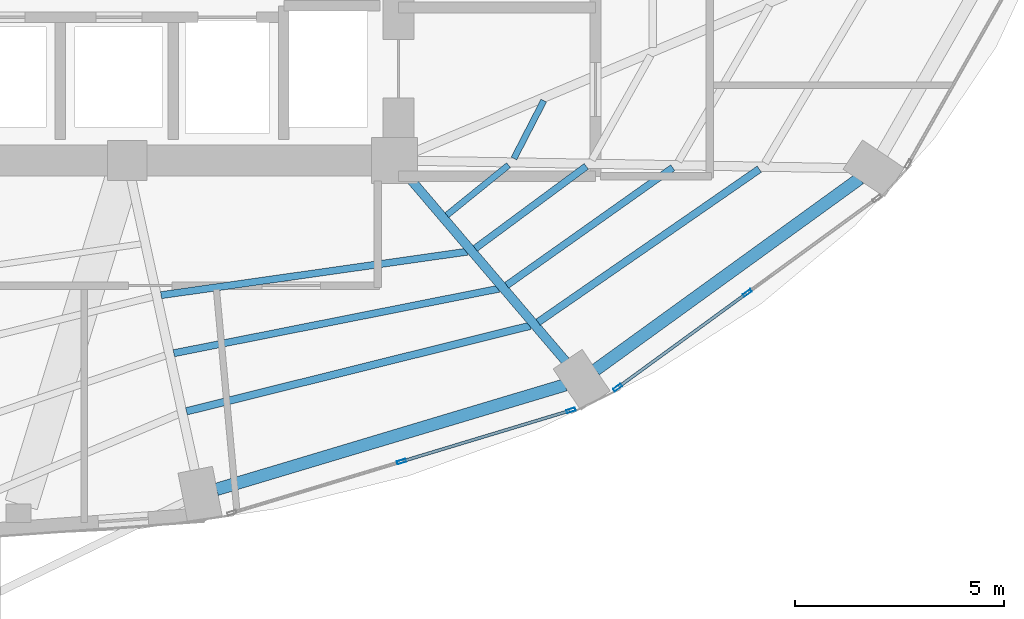
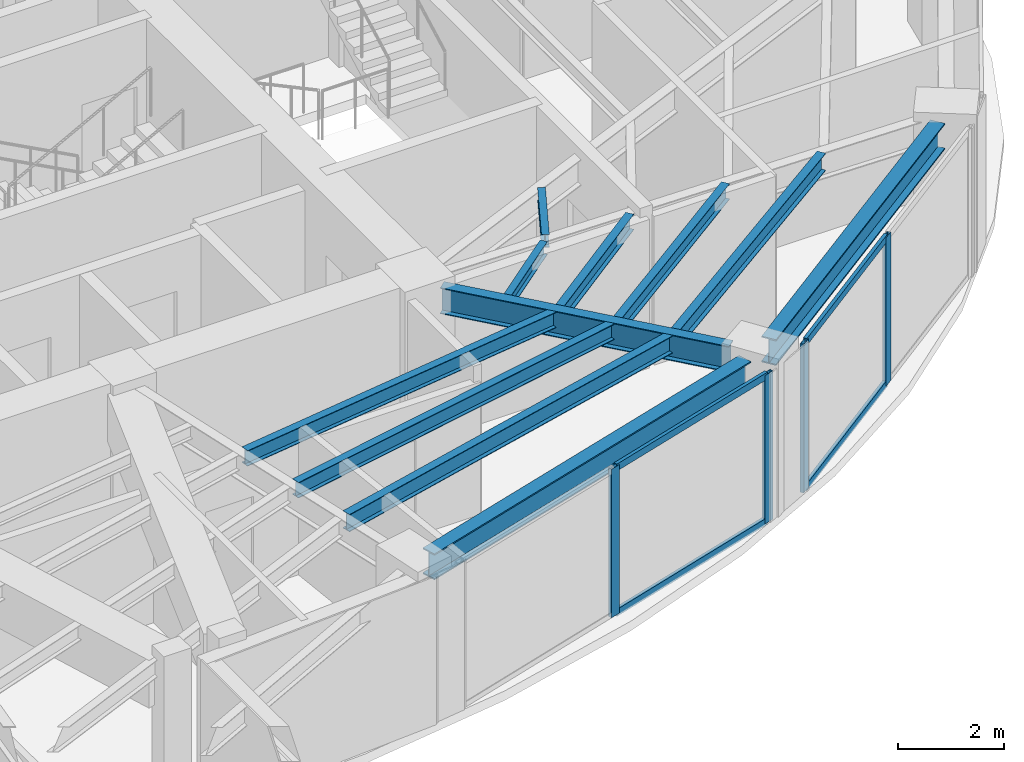
# One storey, part 11 of 24: 11 beams, 8 members, 2 elements without a shape of their own.
"""IFC4 building model written with IfcOpenShell, lengths in metres."""

import ifcopenshell
import ifcopenshell.guid

model = None  # the IFC model being written
_history = None  # IfcOwnerHistory: only IFC2X3 demands one
_inside = {}  # id of a spatial element -> (the spatial element, [elements in it])
_under = {}  # id of a project, library or spatial element -> (it, [spatial elements below it])
_declared = {}  # id of a project -> (the project, [libraries it declares])
_typed = {}  # id of a type object -> (the type object, [elements of that type])
_made_of = {}  # id of a material, layer set ... -> (it, [elements and type objects made of it])


def new_model(schema):
    """Start an empty IFC model of exactly this schema.

    Asked for "IFC4X3", IfcOpenShell would pick the latest addendum, in which some entities
    have other attributes; the version numbers below select the first issue.
    IFC2X3 requires an IfcOwnerHistory on every rooted entity: one is made here for all.
    """
    global model, _history
    if schema == "IFC4X3":
        model = ifcopenshell.file(schema_version=(4, 3, 0, 0))
    else:
        model = ifcopenshell.file(schema=schema)
    _inside.clear()
    _under.clear()
    _declared.clear()
    _typed.clear()
    _made_of.clear()
    _history = None
    if model.schema == "IFC2X3":
        org = make("IfcOrganization", Name="unknown")
        user = make(
            "IfcPersonAndOrganization",
            ThePerson=make("IfcPerson", FamilyName="unknown"),
            TheOrganization=org,
        )
        app = make(
            "IfcApplication",
            ApplicationDeveloper=org,
            Version="unknown",
            ApplicationFullName="unknown",
            ApplicationIdentifier="unknown",
        )
        _history = make(
            "IfcOwnerHistory",
            OwningUser=user,
            OwningApplication=app,
            ChangeAction="ADDED",
            CreationDate=0,
        )
    return model


def make(cls, **values):
    """One entity of the class cls with the attributes given. An attribute that is None is left unset."""
    return model.create_entity(
        cls, **{name: value for name, value in values.items() if value is not None}
    )


def rooted(cls, **values):
    """An entity with a GlobalId (a new one), such as an element, a storey or a relation."""
    return make(cls, GlobalId=ifcopenshell.guid.new(), OwnerHistory=_history, **values)


def si_unit(unit_type, name, prefix=None):
    """IfcSIUnit, for example si_unit("LENGTHUNIT", "METRE", prefix="MILLI")."""
    return make("IfcSIUnit", UnitType=unit_type, Prefix=prefix, Name=name)


def assignment(units):
    """IfcUnitAssignment: the units of a project."""
    return None if units is None else make("IfcUnitAssignment", Units=units)


def point(xyz):
    """IfcCartesianPoint."""
    return None if xyz is None else make("IfcCartesianPoint", Coordinates=xyz)


def direction(xyz):
    """IfcDirection."""
    return None if xyz is None else make("IfcDirection", DirectionRatios=xyz)


def frame(location, z_axis=None, x_axis=None):
    """IfcAxis2Placement3D, a coordinate frame: its origin and axes. An axis left out is left unset."""
    return make(
        "IfcAxis2Placement3D",
        Location=point(location),
        Axis=direction(z_axis),
        RefDirection=direction(x_axis),
    )


def frame_2d(location, x_axis=None):
    """IfcAxis2Placement2D, a coordinate frame in the plane: its origin and x axis."""
    return make(
        "IfcAxis2Placement2D", Location=point(location), RefDirection=direction(x_axis)
    )


def origin():
    """The frame at (0, 0, 0) with its axes left unset."""
    return frame((0.0, 0.0, 0.0))


def origin_2d():
    """The frame at (0, 0) in the plane with its x axis left unset."""
    return frame_2d((0.0, 0.0))


def place(relative_to, where):
    """IfcLocalPlacement: puts the frame where relative to a parent placement (None: the world)."""
    return make(
        "IfcLocalPlacement", PlacementRelTo=relative_to, RelativePlacement=where
    )


def context(
    kind, dimensions, precision=None, world=None, true_north=None, identifier=None
):
    """IfcGeometricRepresentationContext, for example the 3D "Model" context."""
    return make(
        "IfcGeometricRepresentationContext",
        ContextIdentifier=identifier,
        ContextType=kind,
        CoordinateSpaceDimension=dimensions,
        Precision=precision,
        WorldCoordinateSystem=world,
        TrueNorth=true_north,
    )


def subcontext(parent, identifier, kind, view, scale=None):
    """IfcGeometricRepresentationSubContext, for example "Body" below "Model"."""
    return make(
        "IfcGeometricRepresentationSubContext",
        ContextIdentifier=identifier,
        ContextType=kind,
        ParentContext=parent,
        TargetScale=scale,
        TargetView=view,
    )


def project(units=None, contexts=None):
    """IfcProject with its units and contexts."""
    return rooted(
        "IfcProject",
        Name="project",
        RepresentationContexts=contexts,
        UnitsInContext=assignment(units),
    )


def spatial(cls, under=None, at=None, **own):
    """A site, building, storey or space (cls), placed at a placement, below another one or the project."""
    s = rooted(cls, ObjectPlacement=at, **own)
    if under is not None:
        _under.setdefault(under.id(), (under, []))[1].append(s)
    return s


def profile(cls, at=None, kind="AREA", **sizes):
    """A parametric profile (cls). Its sizes go by their IFC names, for example OverallWidth=200.0."""
    return make(cls, ProfileType=kind, Position=at, **sizes)


def hollow_rectangle(**sizes):
    """IfcRectangleHollowProfileDef."""
    return profile("IfcRectangleHollowProfileDef", **sizes)


def i_section(**sizes):
    """IfcIShapeProfileDef."""
    return profile("IfcIShapeProfileDef", **sizes)


def extrude(swept, where, along, depth):
    """IfcExtrudedAreaSolid: the profile swept, set in the frame where, extruded along a direction by depth."""
    return make(
        "IfcExtrudedAreaSolid",
        SweptArea=swept,
        Position=where,
        ExtrudedDirection=direction(along),
        Depth=depth,
    )


def shape(context_of_items, identifier, shape_type, items):
    """IfcShapeRepresentation: the items that make up one representation, for example the "Body"."""
    return make(
        "IfcShapeRepresentation",
        ContextOfItems=context_of_items,
        RepresentationIdentifier=identifier,
        RepresentationType=shape_type,
        Items=items,
    )


def material(Name=None, Category=None):
    """IfcMaterial."""
    return make("IfcMaterial", Name=Name, Category=Category)


def layer(
    of_material, thickness, ventilated=None, Name=None, Category=None, Priority=None
):
    """IfcMaterialLayer: one layer of a wall or slab, of a material (None: an air gap)."""
    return make(
        "IfcMaterialLayer",
        Material=of_material,
        LayerThickness=thickness,
        IsVentilated=ventilated,
        Name=Name,
        Category=Category,
        Priority=Priority,
    )


def layer_set(layers, Name=None):
    """IfcMaterialLayerSet."""
    return make("IfcMaterialLayerSet", MaterialLayers=layers, LayerSetName=Name)


def material_profile(
    of_material, cross_section, Name=None, Category=None, Priority=None
):
    """IfcMaterialProfile: a cross section and its material."""
    return make(
        "IfcMaterialProfile",
        Name=Name,
        Material=of_material,
        Profile=cross_section,
        Priority=Priority,
        Category=Category,
    )


def profile_set(profiles, Name=None, composite=None):
    """IfcMaterialProfileSet."""
    return make(
        "IfcMaterialProfileSet",
        Name=Name,
        MaterialProfiles=profiles,
        CompositeProfile=composite,
    )


def made_of(thing, what):
    """Note that an element or type object is made of a material, layer set ...; save() writes the relation."""
    if what is not None:
        _made_of.setdefault(what.id(), (what, []))[1].append(thing)
    return thing


def type_object(cls, material=None, **own):
    """A type object (cls), such as IfcWallType, which elements share."""
    return made_of(rooted(cls, **own), material)


def element(
    cls,
    number,
    at=None,
    inside=None,
    cuts=None,
    type_object=None,
    material=None,
    context=None,
    identifier="Body",
    shape_type=None,
    held_by="IfcProductDefinitionShape",
    body=None,
    shapes=None,
    **own,
):
    """One element of the class cls, such as IfcWall. Its Tag is "e" and its number.

    at: its placement. inside: the storey or other place that contains it. cuts: it is an
    opening in that element (IfcRelVoidsElement). A single representation is given by context,
    identifier, shape_type and body (its items); several are given by shapes. held_by: the class
    of the entity that holds the representations. save() writes the other relations.
    """
    e = rooted(cls, Tag="e%d" % number, ObjectPlacement=at, **own)
    if body is not None:
        shapes = [shape(context, identifier, shape_type, body)]
    if shapes is not None:
        e.Representation = make(held_by, Representations=shapes)
    if inside is not None:
        _inside.setdefault(inside.id(), (inside, []))[1].append(e)
    if cuts is not None:
        rooted(
            "IfcRelVoidsElement", RelatingBuildingElement=cuts, RelatedOpeningElement=e
        )
    if type_object is not None:
        _typed.setdefault(type_object.id(), (type_object, []))[1].append(e)
    return made_of(e, material)


def aggregate(whole, parts):
    """IfcRelAggregates: a whole, such as a stair, and the parts it consists of."""
    return rooted("IfcRelAggregates", RelatingObject=whole, RelatedObjects=parts)


def save(model, path):
    """Write the relations noted so far, then the file.

    IfcRelAggregates (storeys below a building ...), IfcRelContainedInSpatialStructure (elements
    in a storey), IfcRelDefinesByType, IfcRelAssociatesMaterial and IfcRelDeclares: one each for
    every whole, place, type object, material and project.
    """
    for whole, parts in _under.values():
        aggregate(whole, parts)
    for where, things in _inside.values():
        rooted(
            "IfcRelContainedInSpatialStructure",
            RelatedElements=things,
            RelatingStructure=where,
        )
    for kind, things in _typed.values():
        rooted("IfcRelDefinesByType", RelatedObjects=things, RelatingType=kind)
    for what, things in _made_of.values():
        rooted("IfcRelAssociatesMaterial", RelatedObjects=things, RelatingMaterial=what)
    for by, libraries in _declared.values():
        rooted("IfcRelDeclares", RelatingContext=by, RelatedDefinitions=libraries)
    model.write(path)


model = new_model("IFC4")

# Units and contexts
model_context = context("Model", 3, precision=1e-05, world=origin(), true_north=direction((0.0, 1.0)))
body_context = subcontext(model_context, "Body", "Model", "MODEL_VIEW")
ifc_project = project(units=[si_unit("LENGTHUNIT", "METRE"), si_unit("AREAUNIT", "SQUARE_METRE"), si_unit("VOLUMEUNIT", "CUBIC_METRE"), si_unit("PLANEANGLEUNIT", "RADIAN"), si_unit("MASSUNIT", "GRAM", prefix="KILO")], contexts=[model_context])

# Site, building, storey
site_placement = place(None, origin())
site = spatial("IfcSite", under=ifc_project, at=site_placement, CompositionType="ELEMENT")
building_placement = place(site_placement, origin())
building = spatial("IfcBuilding", under=site, at=building_placement, Name="Lazwardi Medical Tower", CompositionType="ELEMENT")
storey_placement = place(building_placement, frame((0.0, 0.0, 118.22412109375)))
storey = spatial("IfcBuildingStorey", under=building, at=storey_placement, Name="L30", CompositionType="ELEMENT", Elevation=118.22412109375)

# Beams
ifc_material_1 = material(Name="Steel S355", Category="steel")
ifc_material_profile_1 = material_profile(ifc_material_1, i_section(OverallWidth=0.300048828125, OverallDepth=0.60009765625, WebThickness=0.015380859375, FlangeThickness=0.030029296875, at=origin_2d()), Name="HEB 600")
ifc_profile_set_1 = profile_set([ifc_material_profile_1], Name="Steel S355")
beam_type_1 = type_object("IfcBeamType", Name="BM-RB-Z2", PredefinedType="BEAM", material=ifc_profile_set_1)
beam_1_placement = place(storey_placement, frame((41.338134765625, 12.5205078125, 3.1279296875), z_axis=(0.957879438442, 0.287170648587, 0.0), x_axis=(-0.287170648587, 0.957879438442, 0.0)))
element("IfcBeam", 1, at=beam_1_placement, inside=storey, type_object=beam_type_1, Name="Ring beam RB-03 B01 L30", PredefinedType="BEAM", context=body_context, shape_type="SweptSolid", body=[
    extrude(i_section(OverallWidth=0.300048828125, OverallDepth=0.60009765625, WebThickness=0.015380859375, FlangeThickness=0.030029296875, at=origin_2d()), origin(), (0.0, 0.0, 1.0), 8.719970703125),
])
beam_2_placement = place(storey_placement, frame((50.415771484375, 15.3828125, 3.1279296875), z_axis=(0.810041907649, 0.586371987609, 0.0), x_axis=(-0.586371987609, 0.810041907649, 0.0)))
element("IfcBeam", 2, at=beam_2_placement, inside=storey, type_object=beam_type_1, Name="Ring beam RB-03 B02 L30", PredefinedType="BEAM", context=body_context, shape_type="SweptSolid", body=[
    extrude(i_section(OverallWidth=0.300048828125, OverallDepth=0.60009765625, WebThickness=0.015380859375, FlangeThickness=0.030029296875, at=origin_2d()), origin(), (0.0, 0.0, 1.0), 7.814208984375),
])
ifc_material_profile_2 = material_profile(ifc_material_1, i_section(OverallWidth=0.219970703125, OverallDepth=0.60009765625, WebThickness=0.011962890625, FlangeThickness=0.01904296875, at=origin_2d()), Name="IPE 600")
ifc_profile_set_2 = profile_set([ifc_material_profile_2], Name="Steel S355")
beam_type_2 = type_object("IfcBeamType", Name="BM-RG-W1", PredefinedType="BEAM", material=ifc_profile_set_2)
beam_3_placement = place(storey_placement, frame((49.707275390625, 15.583740234375, 3.1279296875), z_axis=(-0.648870567436, 0.760898801889, 0.0), x_axis=(-0.760898801889, -0.648870567436, 0.0)))
element("IfcBeam", 3, at=beam_3_placement, inside=storey, type_object=beam_type_2, Name="Radial girder RG-02 R02 L30", PredefinedType="BEAM", context=body_context, shape_type="SweptSolid", body=[
    extrude(i_section(OverallWidth=0.219970703125, OverallDepth=0.60009765625, WebThickness=0.011962890625, FlangeThickness=0.01904296875, at=origin_2d()), origin(), (0.0, 0.0, 1.0), 5.794677734375),
])
ifc_material_profile_3 = material_profile(ifc_material_1, i_section(OverallWidth=0.179931640625, OverallDepth=0.39990234375, WebThickness=0.008544921875, FlangeThickness=0.013427734375, at=origin_2d()), Name="IPE 400")
ifc_profile_set_3 = profile_set([ifc_material_profile_3], Name="Steel S355")
beam_type_3 = type_object("IfcBeamType", Name="BM-SJ-01", PredefinedType="JOIST", material=ifc_profile_set_3)
beam_4_placement = place(storey_placement, frame((40.618896484375, 14.390869140625, 3.227783203125), z_axis=(0.970400881943, 0.241499748081, 0.0), x_axis=(-0.241499748081, 0.970400881943, 0.0)))
element("IfcBeam", 4, at=beam_4_placement, inside=storey, type_object=beam_type_3, Name="Secondary joist SJ-01 R1 B01 L30", PredefinedType="JOIST", context=body_context, shape_type="SweptSolid", body=[
    extrude(i_section(OverallWidth=0.179931640625, OverallDepth=0.39990234375, WebThickness=0.008544921875, FlangeThickness=0.013427734375, at=origin_2d()), origin(), (0.0, 0.0, 1.0), 8.48583984375),
])
beam_5_placement = place(storey_placement, frame((49.04150390625, 16.525390625, 3.227783203125), z_axis=(0.822376339068, 0.568943896128, 0.0), x_axis=(-0.568943896128, 0.822376339068, 0.0)))
element("IfcBeam", 5, at=beam_5_placement, inside=storey, type_object=beam_type_3, Name="Secondary joist SJ-01 R1 B02 L30", PredefinedType="JOIST", context=body_context, shape_type="SweptSolid", body=[
    extrude(i_section(OverallWidth=0.179931640625, OverallDepth=0.39990234375, WebThickness=0.008544921875, FlangeThickness=0.013427734375, at=origin_2d()), origin(), (0.0, 0.0, 1.0), 6.44189453125),
])
ifc_material_profile_4 = material_profile(ifc_material_1, i_section(OverallWidth=0.169921875, OverallDepth=0.360107421875, WebThickness=0.008056640625, FlangeThickness=0.0126953125, at=origin_2d()), Name="IPE 360")
ifc_profile_set_4 = profile_set([ifc_material_profile_4], Name="Steel S355")
beam_type_4 = type_object("IfcBeamType", Name="BM-SJ-02", PredefinedType="JOIST", material=ifc_profile_set_4)
beam_6_placement = place(storey_placement, frame((40.315185546875, 15.7822265625, 3.247802734375), z_axis=(0.980878853282, 0.194619308352, 0.0), x_axis=(-0.194619308352, 0.980878853282, 0.0)))
element("IfcBeam", 6, at=beam_6_placement, inside=storey, type_object=beam_type_4, Name="Secondary joist SJ-02 R2 B01 L30", PredefinedType="JOIST", context=body_context, shape_type="SweptSolid", body=[
    extrude(i_section(OverallWidth=0.169921875, OverallDepth=0.360107421875, WebThickness=0.008056640625, FlangeThickness=0.0126953125, at=origin_2d()), origin(), (0.0, 0.0, 1.0), 7.93701171875),
])
beam_7_placement = place(storey_placement, frame((48.2890625, 17.408203125, 3.247802734375), z_axis=(0.816156371539, 0.577831097464, 0.0), x_axis=(-0.577831097464, 0.816156371539, 0.0)))
element("IfcBeam", 7, at=beam_7_placement, inside=storey, type_object=beam_type_4, Name="Secondary joist SJ-02 R2 B02 L30", PredefinedType="JOIST", context=body_context, shape_type="SweptSolid", body=[
    extrude(i_section(OverallWidth=0.169921875, OverallDepth=0.360107421875, WebThickness=0.008056640625, FlangeThickness=0.0126953125, at=origin_2d()), origin(), (0.0, 0.0, 1.0), 4.8740234375),
])
beam_8_placement = place(storey_placement, frame((40.011474609375, 17.1728515625, 3.247802734375), z_axis=(0.990067108571, 0.140595592128, 0.0), x_axis=(-0.140595592128, 0.990067108571, 0.0)))
element("IfcBeam", 8, at=beam_8_placement, inside=storey, type_object=beam_type_4, Name="Secondary joist SJ-02 R3 B01 L30", PredefinedType="JOIST", context=body_context, shape_type="SweptSolid", body=[
    extrude(i_section(OverallWidth=0.169921875, OverallDepth=0.360107421875, WebThickness=0.008056640625, FlangeThickness=0.0126953125, at=origin_2d()), origin(), (0.0, 0.0, 1.0), 7.409423828125),
])
beam_9_placement = place(storey_placement, frame((47.53564453125, 18.291748046875, 3.247802734375), z_axis=(0.804125525058, 0.594459536008, 0.0), x_axis=(-0.594459536008, 0.804125525058, 0.0)))
element("IfcBeam", 9, at=beam_9_placement, inside=storey, type_object=beam_type_4, Name="Secondary joist SJ-02 R3 B02 L30", PredefinedType="JOIST", context=body_context, shape_type="SweptSolid", body=[
    extrude(i_section(OverallWidth=0.169921875, OverallDepth=0.360107421875, WebThickness=0.008056640625, FlangeThickness=0.0126953125, at=origin_2d()), origin(), (0.0, 0.0, 1.0), 3.30810546875),
])
ifc_material_profile_5 = material_profile(ifc_material_1, i_section(OverallWidth=0.14990234375, OverallDepth=0.300048828125, WebThickness=0.007080078125, FlangeThickness=0.0107421875, at=origin_2d()), Name="IPE 300")
ifc_profile_set_5 = profile_set([ifc_material_profile_5], Name="Steel S355")
beam_type_5 = type_object("IfcBeamType", Name="BM-SJ-03", PredefinedType="JOIST", material=ifc_profile_set_5)
beam_10_placement = place(storey_placement, frame((46.85595703125, 19.089111328125, 3.27783203125), z_axis=(0.77695773322, 0.629552762515, 0.0), x_axis=(-0.629552762515, 0.77695773322, 0.0)))
element("IfcBeam", 10, at=beam_10_placement, inside=storey, type_object=beam_type_5, Name="Secondary joist SJ-03 R4 B02 L30", PredefinedType="JOIST", context=body_context, shape_type="SweptSolid", body=[
    extrude(i_section(OverallWidth=0.14990234375, OverallDepth=0.300048828125, WebThickness=0.007080078125, FlangeThickness=0.0107421875, at=origin_2d()), origin(), (0.0, 0.0, 1.0), 1.9013671875),
])
beam_11_placement = place(storey_placement, frame((48.462890625, 20.445556640625, 3.27783203125), z_axis=(0.457956589674, 0.888974556427, 0.0), x_axis=(-0.888974556427, 0.457956589674, 0.0)))
element("IfcBeam", 11, at=beam_11_placement, inside=storey, type_object=beam_type_5, Name="Secondary joist SJ-03 R4 B03 L30", PredefinedType="JOIST", context=body_context, shape_type="SweptSolid", body=[
    extrude(i_section(OverallWidth=0.14990234375, OverallDepth=0.300048828125, WebThickness=0.007080078125, FlangeThickness=0.0107421875, at=origin_2d()), origin(), (0.0, 0.0, 1.0), 1.558837890625),
])

# Curtain wall, members
ifc_material_2 = material(Name="Anodised bronze aluminium and solar control glazing", Category="aluminium")
ifc_layer = layer(ifc_material_2, 0.195068359375)
ifc_layer_set = layer_set([ifc_layer], Name="Anodised bronze aluminium and solar control glazing")
curtain_wall_type = type_object("IfcCurtainWallType", Name="CW-SYS-03", PredefinedType="NOTDEFINED", material=ifc_layer_set)
curtain_wall_1_placement = place(storey_placement, origin())
curtain_wall_1 = element("IfcCurtainWall", 12, at=curtain_wall_1_placement, inside=storey, type_object=curtain_wall_type, Name="L30 Unitised bronze curtain wall CW-03", PredefinedType="NOTDEFINED")
ifc_material_3 = material(Name="Anodised bronze aluminium", Category="aluminium")
ifc_material_profile_6 = material_profile(ifc_material_3, hollow_rectangle(XDim=0.074951171875, YDim=0.219970703125, WallThickness=0.00390625, at=origin_2d()), Name="ALU-MULLION 220x75x4")
ifc_profile_set_6 = profile_set([ifc_material_profile_6], Name="Anodised bronze aluminium")
member_type_1 = type_object("IfcMemberType", Name="CW-MUL-01", PredefinedType="MULLION", material=ifc_profile_set_6)
member_1_placement = place(storey_placement, frame((45.769287109375, 13.18701171875, 0.0), z_axis=(0.0, 0.0, 1.0), x_axis=(-0.28937381157, 0.957216170558, 0.0)))
member_1 = element("IfcMember", 13, at=member_1_placement, type_object=member_type_1, Name="CW-03 mullion 2", PredefinedType="MULLION", context=body_context, shape_type="SweptSolid", body=[
    extrude(hollow_rectangle(XDim=0.074951171875, YDim=0.219970703125, WallThickness=0.00390625, at=origin_2d()), origin(), (0.0, 0.0, 1.0), 3.427978515625),
])
member_2_placement = place(storey_placement, frame((49.828369140625, 14.4140625, 0.0), z_axis=(0.0, 0.0, 1.0), x_axis=(-0.28937381157, 0.957216170558, 0.0)))
member_2 = element("IfcMember", 14, at=member_2_placement, type_object=member_type_1, Name="CW-03 mullion 3", PredefinedType="MULLION", context=body_context, shape_type="SweptSolid", body=[
    extrude(hollow_rectangle(XDim=0.074951171875, YDim=0.219970703125, WallThickness=0.00390625, at=origin_2d()), origin(), (0.0, 0.0, 1.0), 3.427978515625),
])

curtain_wall_2_placement = place(storey_placement, origin())
curtain_wall_2 = element("IfcCurtainWall", 15, at=curtain_wall_2_placement, inside=storey, type_object=curtain_wall_type, Name="L30 Unitised bronze curtain wall CW-03", PredefinedType="NOTDEFINED")
member_3_placement = place(storey_placement, frame((50.947265625, 14.96044921875, 0.0), z_axis=(0.0, 0.0, 1.0), x_axis=(-0.589530882802, 0.807745837639, 0.0)))
member_3 = element("IfcMember", 16, at=member_3_placement, type_object=member_type_1, Name="CW-03 mullion 1", PredefinedType="MULLION", context=body_context, shape_type="SweptSolid", body=[
    extrude(hollow_rectangle(XDim=0.074951171875, YDim=0.219970703125, WallThickness=0.00390625, at=origin_2d()), origin(), (0.0, 0.0, 1.0), 3.427978515625),
])
member_4_placement = place(storey_placement, frame((54.051025390625, 17.225830078125, 0.0), z_axis=(0.0, 0.0, 1.0), x_axis=(-0.589530882802, 0.807745837639, 0.0)))
member_4 = element("IfcMember", 17, at=member_4_placement, type_object=member_type_1, Name="CW-03 mullion 2", PredefinedType="MULLION", context=body_context, shape_type="SweptSolid", body=[
    extrude(hollow_rectangle(XDim=0.074951171875, YDim=0.219970703125, WallThickness=0.00390625, at=origin_2d()), origin(), (0.0, 0.0, 1.0), 3.427978515625),
])

# Member
ifc_material_profile_7 = material_profile(ifc_material_3, hollow_rectangle(XDim=0.074951171875, YDim=0.159912109375, WallThickness=0.00390625, at=origin_2d()), Name="ALU-TRANSOM 160x75x4")
ifc_profile_set_7 = profile_set([ifc_material_profile_7], Name="Anodised bronze aluminium")
member_type_2 = type_object("IfcMemberType", Name="CW-TRN-01", PredefinedType="USERDEFINED", material=ifc_profile_set_7)
member_5_placement = place(storey_placement, frame((45.80517578125, 13.19775390625, 0.037353515625), z_axis=(0.957220865985, 0.289358279168, 0.0), x_axis=(-0.289358279168, 0.957220865985, 0.0)))
member_5 = element("IfcMember", 18, at=member_5_placement, type_object=member_type_2, Name="CW-03 transom 2.1", ObjectType="TRANSOM", PredefinedType="USERDEFINED", context=body_context, shape_type="SweptSolid", body=[
    extrude(hollow_rectangle(XDim=0.074951171875, YDim=0.159912109375, WallThickness=0.00390625, at=origin_2d()), origin(), (0.0, 0.0, 1.0), 4.16552734375),
])

member_6_placement = place(storey_placement, frame((45.80517578125, 13.19775390625, 3.390380859375), z_axis=(0.957220865985, 0.289358279168, 0.0), x_axis=(-0.289358279168, 0.957220865985, 0.0)))
member_6 = element("IfcMember", 19, at=member_6_placement, type_object=member_type_2, Name="CW-03 transom 2.2", ObjectType="TRANSOM", PredefinedType="USERDEFINED", context=body_context, shape_type="SweptSolid", body=[
    extrude(hollow_rectangle(XDim=0.074951171875, YDim=0.159912109375, WallThickness=0.00390625, at=origin_2d()), origin(), (0.0, 0.0, 1.0), 4.16552734375),
])

aggregate(curtain_wall_1, [member_1, member_2, member_5, member_6])

member_7_placement = place(storey_placement, frame((50.9775390625, 14.982421875, 0.037353515625), z_axis=(0.807731734271, 0.589550206049, 0.0), x_axis=(-0.589550206049, 0.807731734271, 0.0)))
member_7 = element("IfcMember", 20, at=member_7_placement, type_object=member_type_2, Name="CW-03 transom 1.1", ObjectType="TRANSOM", PredefinedType="USERDEFINED", context=body_context, shape_type="SweptSolid", body=[
    extrude(hollow_rectangle(XDim=0.074951171875, YDim=0.159912109375, WallThickness=0.00390625, at=origin_2d()), origin(), (0.0, 0.0, 1.0), 3.767578125),
])

member_8_placement = place(storey_placement, frame((50.9775390625, 14.982421875, 3.390380859375), z_axis=(0.807731734271, 0.589550206049, 0.0), x_axis=(-0.589550206049, 0.807731734271, 0.0)))
member_8 = element("IfcMember", 21, at=member_8_placement, type_object=member_type_2, Name="CW-03 transom 1.2", ObjectType="TRANSOM", PredefinedType="USERDEFINED", context=body_context, shape_type="SweptSolid", body=[
    extrude(hollow_rectangle(XDim=0.074951171875, YDim=0.159912109375, WallThickness=0.00390625, at=origin_2d()), origin(), (0.0, 0.0, 1.0), 3.767578125),
])

aggregate(curtain_wall_2, [member_3, member_4, member_7, member_8])

save(model, "model.ifc")
